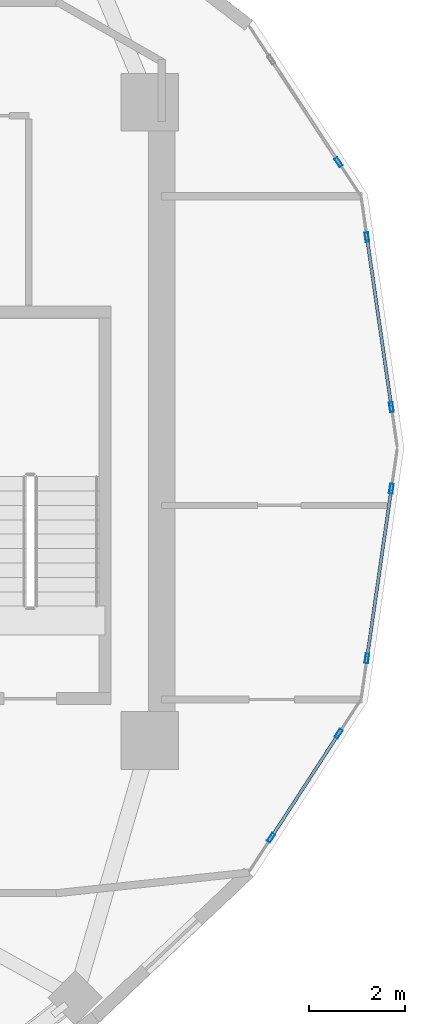
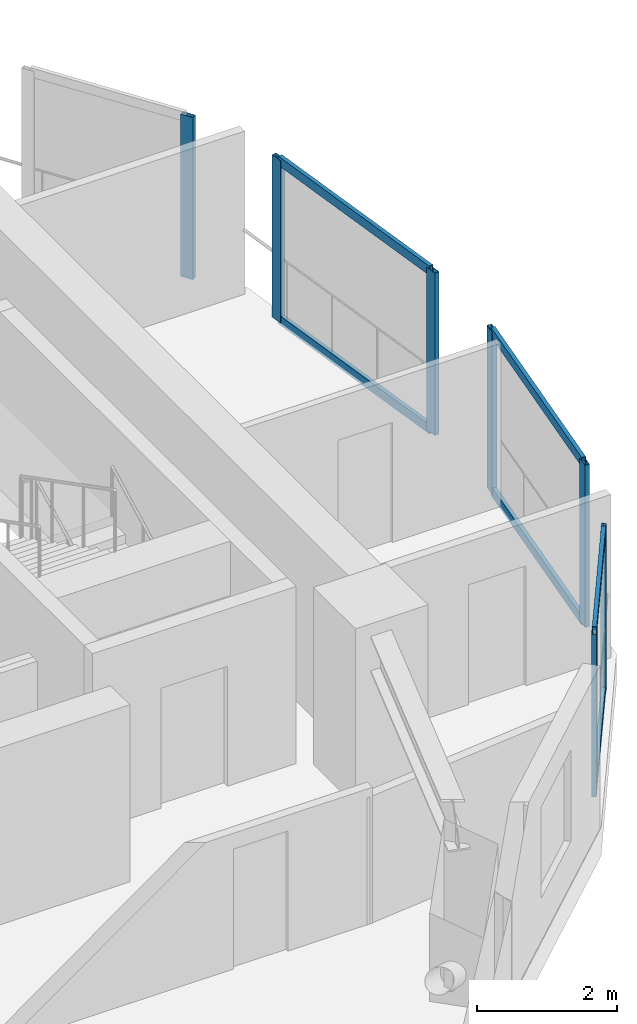
# One storey, part 3 of 12: 13 members, 4 elements without a shape of their own.
"""IFC4 building model written with IfcOpenShell, lengths in metres."""

from ifc_helpers import new_model, si_unit, direction, frame, origin, origin_2d, place, context, subcontext, project, spatial, hollow_rectangle, extrude, material, layer, layer_set, material_profile, profile_set, type_object, element, aggregate, save


model = new_model("IFC4")

# Units and contexts
model_context = context("Model", 3, precision=1e-05, world=origin(), true_north=direction((0.0, 1.0)))
body_context = subcontext(model_context, "Body", "Model", "MODEL_VIEW")
ifc_project = project(units=[si_unit("LENGTHUNIT", "METRE"), si_unit("AREAUNIT", "SQUARE_METRE"), si_unit("VOLUMEUNIT", "CUBIC_METRE"), si_unit("PLANEANGLEUNIT", "RADIAN"), si_unit("MASSUNIT", "GRAM", prefix="KILO")], contexts=[model_context])

# Site, building, storey
site_placement = place(None, origin())
site = spatial("IfcSite", under=ifc_project, at=site_placement, CompositionType="ELEMENT")
building_placement = place(site_placement, origin())
building = spatial("IfcBuilding", under=site, at=building_placement, Name="Solvane Sanctuary Tower", CompositionType="ELEMENT")
storey_placement = place(building_placement, frame((0.0, 0.0, 210.89990234375)))
storey = spatial("IfcBuildingStorey", under=building, at=storey_placement, Name="L64", CompositionType="ELEMENT", Elevation=210.89990234375)

# Curtain wall, members
ifc_material = material(Name="Anodised Aluminium 6063-T6", Category="aluminium")
ifc_layer = layer(ifc_material, 0.2099609375, Name="Anodised Aluminium 6063-T6")
ifc_layer_set = layer_set([ifc_layer], Name="Anodised Aluminium 6063-T6")
curtain_wall_type = type_object("IfcCurtainWallType", Name="Curtain Wall CW-PORTAL", PredefinedType="NOTDEFINED", material=ifc_layer_set)
curtain_wall_1_placement = place(storey_placement, origin())
curtain_wall_1 = element("IfcCurtainWall", 1, at=curtain_wall_1_placement, inside=storey, type_object=curtain_wall_type, Name="L64 CW-PORTAL Facade Run 00", PredefinedType="NOTDEFINED")
ifc_material_profile_1 = material_profile(ifc_material, hollow_rectangle(XDim=0.074951171875, YDim=0.199951171875, WallThickness=0.00390625, at=origin_2d()), Name="ALU200X75X4")
ifc_profile_set_1 = profile_set([ifc_material_profile_1], Name="Anodised Aluminium 6063-T6")
member_type_1 = type_object("IfcMemberType", Name="Member M-CW-MUL-1 ALU200X75X4", PredefinedType="MULLION", material=ifc_profile_set_1)
member_1_placement = place(storey_placement, frame((53.737548828125, 23.8486328125, 0.0), z_axis=(0.0, 0.0, 1.0), x_axis=(-0.989765249591, -0.142705117998, 0.0)))
member_1 = element("IfcMember", 2, at=member_1_placement, type_object=member_type_1, Name="CW-PORTAL mullion 1", PredefinedType="MULLION", context=body_context, shape_type="SweptSolid", body=[
    extrude(hollow_rectangle(XDim=0.074951171875, YDim=0.199951171875, WallThickness=0.00390625, at=origin_2d()), origin(), (0.0, 0.0, 1.0), 2.840087890625),
])
member_2_placement = place(storey_placement, frame((53.22705078125, 27.39013671875, 0.0), z_axis=(0.0, 0.0, 1.0), x_axis=(-0.989765249591, -0.142705117998, 0.0)))
member_2 = element("IfcMember", 3, at=member_2_placement, type_object=member_type_1, Name="CW-PORTAL mullion 2", PredefinedType="MULLION", context=body_context, shape_type="SweptSolid", body=[
    extrude(hollow_rectangle(XDim=0.074951171875, YDim=0.199951171875, WallThickness=0.00390625, at=origin_2d()), origin(), (0.0, 0.0, 1.0), 2.840087890625),
])

# Curtain wall, member
curtain_wall_2_placement = place(storey_placement, origin())
curtain_wall_2 = element("IfcCurtainWall", 4, at=curtain_wall_2_placement, inside=storey, type_object=curtain_wall_type, Name="L64 CW-PORTAL Facade Run 01", PredefinedType="NOTDEFINED")
member_3_placement = place(storey_placement, frame((52.634033203125, 28.95556640625, 0.0), z_axis=(0.0, 0.0, 1.0), x_axis=(-0.83595908826, -0.548791766298, 0.0)))
member_3 = element("IfcMember", 5, at=member_3_placement, type_object=member_type_1, Name="CW-PORTAL mullion 1", PredefinedType="MULLION", context=body_context, shape_type="SweptSolid", body=[
    extrude(hollow_rectangle(XDim=0.074951171875, YDim=0.199951171875, WallThickness=0.00390625, at=origin_2d()), origin(), (0.0, 0.0, 1.0), 2.840087890625),
])
aggregate(curtain_wall_2, [member_3])

# Curtain wall, members
curtain_wall_3_placement = place(storey_placement, origin())
curtain_wall_3 = element("IfcCurtainWall", 6, at=curtain_wall_3_placement, inside=storey, type_object=curtain_wall_type, Name="L64 CW-PORTAL Facade Run 22", PredefinedType="NOTDEFINED")
member_4_placement = place(storey_placement, frame((51.227783203125, 14.869873046875, 0.0), z_axis=(0.0, 0.0, 1.0), x_axis=(-0.838777857586, 0.54447378782, 0.0)))
member_4 = element("IfcMember", 7, at=member_4_placement, type_object=member_type_1, Name="CW-PORTAL mullion 1", PredefinedType="MULLION", context=body_context, shape_type="SweptSolid", body=[
    extrude(hollow_rectangle(XDim=0.074951171875, YDim=0.199951171875, WallThickness=0.00390625, at=origin_2d()), origin(), (0.0, 0.0, 1.0), 2.840087890625),
])
member_5_placement = place(storey_placement, frame((52.6376953125, 17.0419921875, 0.0), z_axis=(0.0, 0.0, 1.0), x_axis=(-0.838777857586, 0.54447378782, 0.0)))
member_5 = element("IfcMember", 8, at=member_5_placement, type_object=member_type_1, Name="CW-PORTAL mullion 2", PredefinedType="MULLION", context=body_context, shape_type="SweptSolid", body=[
    extrude(hollow_rectangle(XDim=0.074951171875, YDim=0.199951171875, WallThickness=0.00390625, at=origin_2d()), origin(), (0.0, 0.0, 1.0), 2.840087890625),
])

curtain_wall_4_placement = place(storey_placement, origin())
curtain_wall_4 = element("IfcCurtainWall", 9, at=curtain_wall_4_placement, inside=storey, type_object=curtain_wall_type, Name="L64 CW-PORTAL Facade Run 23", PredefinedType="NOTDEFINED")
member_6_placement = place(storey_placement, frame((53.22705078125, 18.60986328125, 0.0), z_axis=(0.0, 0.0, 1.0), x_axis=(-0.989765249591, 0.142705117998, 0.0)))
member_6 = element("IfcMember", 10, at=member_6_placement, type_object=member_type_1, Name="CW-PORTAL mullion 1", PredefinedType="MULLION", context=body_context, shape_type="SweptSolid", body=[
    extrude(hollow_rectangle(XDim=0.074951171875, YDim=0.199951171875, WallThickness=0.00390625, at=origin_2d()), origin(), (0.0, 0.0, 1.0), 2.840087890625),
])
member_7_placement = place(storey_placement, frame((53.737548828125, 22.1513671875, 0.0), z_axis=(0.0, 0.0, 1.0), x_axis=(-0.989765249591, 0.142705117998, 0.0)))
member_7 = element("IfcMember", 11, at=member_7_placement, type_object=member_type_1, Name="CW-PORTAL mullion 2", PredefinedType="MULLION", context=body_context, shape_type="SweptSolid", body=[
    extrude(hollow_rectangle(XDim=0.074951171875, YDim=0.199951171875, WallThickness=0.00390625, at=origin_2d()), origin(), (0.0, 0.0, 1.0), 2.840087890625),
])

# Member
ifc_material_profile_2 = material_profile(ifc_material, hollow_rectangle(XDim=0.06494140625, YDim=0.159912109375, WallThickness=0.00341796875, at=origin_2d()), Name="ALU160X65X3.5")
ifc_profile_set_2 = profile_set([ifc_material_profile_2], Name="Anodised Aluminium 6063-T6")
member_type_2 = type_object("IfcMemberType", Name="Member M-CW-TRN-1 ALU160X65X3.5", PredefinedType="USERDEFINED", material=ifc_profile_set_2)
member_8_placement = place(storey_placement, frame((53.732177734375, 23.8857421875, 0.03271484375), z_axis=(-0.142660376615, 0.989771699406, 0.0), x_axis=(-0.989771699406, -0.142660376615, 0.0)))
member_8 = element("IfcMember", 12, at=member_8_placement, type_object=member_type_2, Name="CW-PORTAL transom 1.1", ObjectType="TRANSOM", PredefinedType="USERDEFINED", context=body_context, shape_type="SweptSolid", body=[
    extrude(hollow_rectangle(XDim=0.06494140625, YDim=0.159912109375, WallThickness=0.00341796875, at=origin_2d()), origin(), (0.0, 0.0, 1.0), 3.503173828125),
])

member_9_placement = place(storey_placement, frame((53.732177734375, 23.8857421875, 2.8076171875), z_axis=(-0.142660376615, 0.989771699406, 0.0), x_axis=(-0.989771699406, -0.142660376615, 0.0)))
member_9 = element("IfcMember", 13, at=member_9_placement, type_object=member_type_2, Name="CW-PORTAL transom 1.2", ObjectType="TRANSOM", PredefinedType="USERDEFINED", context=body_context, shape_type="SweptSolid", body=[
    extrude(hollow_rectangle(XDim=0.06494140625, YDim=0.159912109375, WallThickness=0.00341796875, at=origin_2d()), origin(), (0.0, 0.0, 1.0), 3.503173828125),
])

aggregate(curtain_wall_1, [member_1, member_2, member_8, member_9])

member_10_placement = place(storey_placement, frame((51.248291015625, 14.9013671875, 0.03271484375), z_axis=(0.544486587531, 0.838769548802, 0.0), x_axis=(-0.838769548802, 0.544486587531, 0.0)))
member_10 = element("IfcMember", 14, at=member_10_placement, type_object=member_type_2, Name="CW-PORTAL transom 1.1", ObjectType="TRANSOM", PredefinedType="USERDEFINED", context=body_context, shape_type="SweptSolid", body=[
    extrude(hollow_rectangle(XDim=0.06494140625, YDim=0.159912109375, WallThickness=0.00341796875, at=origin_2d()), origin(), (0.0, 0.0, 1.0), 2.5146484375),
])

member_11_placement = place(storey_placement, frame((51.248291015625, 14.9013671875, 2.8076171875), z_axis=(0.544486587531, 0.838769548802, 0.0), x_axis=(-0.838769548802, 0.544486587531, 0.0)))
member_11 = element("IfcMember", 15, at=member_11_placement, type_object=member_type_2, Name="CW-PORTAL transom 1.2", ObjectType="TRANSOM", PredefinedType="USERDEFINED", context=body_context, shape_type="SweptSolid", body=[
    extrude(hollow_rectangle(XDim=0.06494140625, YDim=0.159912109375, WallThickness=0.00341796875, at=origin_2d()), origin(), (0.0, 0.0, 1.0), 2.5146484375),
])

aggregate(curtain_wall_3, [member_4, member_5, member_10, member_11])

member_12_placement = place(storey_placement, frame((53.232421875, 18.64697265625, 0.03271484375), z_axis=(0.142660376615, 0.989771699406, 0.0), x_axis=(-0.989771699406, 0.142660376615, 0.0)))
member_12 = element("IfcMember", 16, at=member_12_placement, type_object=member_type_2, Name="CW-PORTAL transom 1.1", ObjectType="TRANSOM", PredefinedType="USERDEFINED", context=body_context, shape_type="SweptSolid", body=[
    extrude(hollow_rectangle(XDim=0.06494140625, YDim=0.159912109375, WallThickness=0.00341796875, at=origin_2d()), origin(), (0.0, 0.0, 1.0), 3.503173828125),
])

member_13_placement = place(storey_placement, frame((53.232421875, 18.64697265625, 2.8076171875), z_axis=(0.142660376615, 0.989771699406, 0.0), x_axis=(-0.989771699406, 0.142660376615, 0.0)))
member_13 = element("IfcMember", 17, at=member_13_placement, type_object=member_type_2, Name="CW-PORTAL transom 1.2", ObjectType="TRANSOM", PredefinedType="USERDEFINED", context=body_context, shape_type="SweptSolid", body=[
    extrude(hollow_rectangle(XDim=0.06494140625, YDim=0.159912109375, WallThickness=0.00341796875, at=origin_2d()), origin(), (0.0, 0.0, 1.0), 3.503173828125),
])

aggregate(curtain_wall_4, [member_6, member_7, member_12, member_13])

save(model, "model.ifc")
